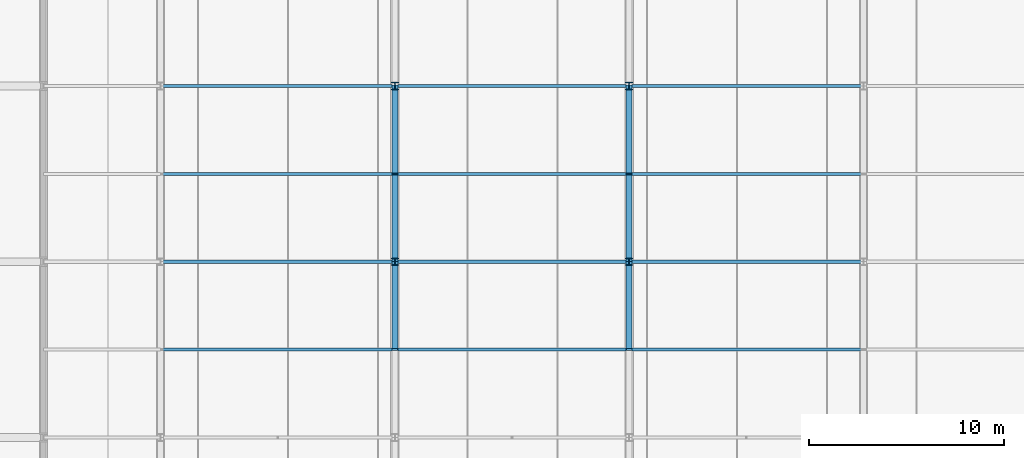
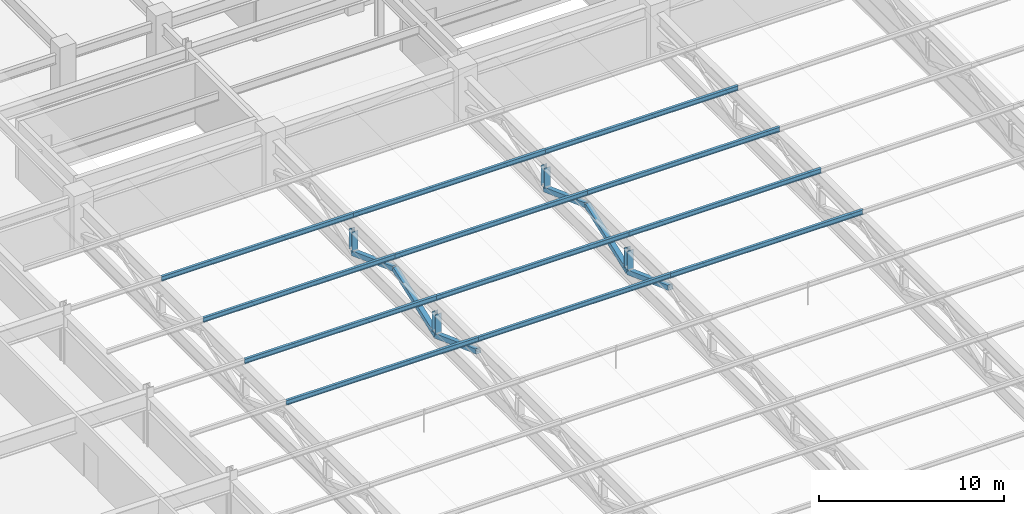
# One storey, part 30 of 108: 22 members.
"""IFC4 building model written with IfcOpenShell, lengths in metres."""

from ifc_helpers import new_model, si_unit, direction, frame, origin, origin_2d, place, context, subcontext, project, spatial, hollow_rectangle, i_section, extrude, material, material_profile, profile_set, type_object, element, save


model = new_model("IFC4")

# Units and contexts
model_context = context("Model", 3, precision=1e-05, world=origin(), true_north=direction((0.0, 1.0)))
body_context = subcontext(model_context, "Body", "Model", "MODEL_VIEW")
ifc_project = project(units=[si_unit("LENGTHUNIT", "METRE"), si_unit("AREAUNIT", "SQUARE_METRE"), si_unit("VOLUMEUNIT", "CUBIC_METRE"), si_unit("PLANEANGLEUNIT", "RADIAN"), si_unit("MASSUNIT", "GRAM", prefix="KILO")], contexts=[model_context])

# Site, building, storey
site_placement = place(None, origin())
site = spatial("IfcSite", under=ifc_project, at=site_placement, CompositionType="ELEMENT")
building_placement = place(site_placement, origin())
building = spatial("IfcBuilding", under=site, at=building_placement, Name="Kaldorvane Square Convention Centre", CompositionType="ELEMENT")
storey_placement = place(building_placement, frame((0.0, 0.0, 23.399993896484375)))
storey = spatial("IfcBuildingStorey", under=building, at=storey_placement, Name="L04", CompositionType="ELEMENT", Elevation=23.399993896484375)

# Members
ifc_material_1 = material(Name="Steel ASTM A500 Gr. C", Category="steel")
ifc_material_profile_1 = material_profile(ifc_material_1, hollow_rectangle(XDim=0.3047943115234375, YDim=0.3047943115234375, WallThickness=0.0117950439453125, at=origin_2d()), Name="HSS12X12X1/2")
ifc_profile_set_1 = profile_set([ifc_material_profile_1], Name="Steel ASTM A500 Gr. C")
member_type_1 = type_object("IfcMemberType", Name="MB-BR-HSS12", PredefinedType="BRACE", material=ifc_profile_set_1)
for number, where, z_axis, x_axis, name in (
    (1, (42.0, 49.5, 2.5535125732421875), (0.0, 0.937283847769, -0.348567050524), (-1.0, 0.0, 0.0), "Hall Roof Truss RT-02 Web 4B"),
    (2, (42.0, 54.0, 0.8800048828125), (0.0, 0.937283847769, 0.348567050524), (-1.0, 0.0, 0.0), "Hall Roof Truss RT-02 Web 5A"),
    (3, (42.0, 58.5, 2.5535125732421875), (0.0, 0.937283847769, -0.348567050524), (-1.0, 0.0, 0.0), "Hall Roof Truss RT-02 Web 5B"),
    (4, (54.0, 49.5, 2.5535125732421875), (0.0, 0.937283847769, -0.348567050524), (-1.0, 0.0, 0.0), "Hall Roof Truss RT-03 Web 4B"),
    (5, (54.0, 54.0, 0.8800048828125), (0.0, 0.937283847769, 0.348567050524), (-1.0, 0.0, 0.0), "Hall Roof Truss RT-03 Web 5A"),
    (6, (54.0, 58.5, 2.5535125732421875), (0.0, 0.937283847769, -0.348567050524), (-1.0, 0.0, 0.0), "Hall Roof Truss RT-03 Web 5B"),
):
    element("IfcMember", number, at=place(storey_placement, frame(where, z_axis=z_axis, x_axis=x_axis)), inside=storey, type_object=member_type_1, Name=name, PredefinedType="BRACE", context=body_context, shape_type="SweptSolid", body=[
        extrude(hollow_rectangle(XDim=0.3047943115234375, YDim=0.3047943115234375, WallThickness=0.0117950439453125, at=origin_2d()), origin(), (0.0, 0.0, 1.0), 4.8011016845703125),
    ])
ifc_material_2 = material(Name="Steel ASTM A992 Gr. 50", Category="steel")
ifc_material_profile_2 = material_profile(ifc_material_2, i_section(OverallWidth=0.164794921875, OverallDepth=0.310394287109375, WebThickness=0.00579833984375, FlangeThickness=0.00970458984375, FilletRadius=0.007598876953125, at=origin_2d()), Name="W12X26")
ifc_profile_set_2 = profile_set([ifc_material_profile_2], Name="Steel ASTM A992 Gr. 50")
member_type_2 = type_object("IfcMemberType", Name="MB-PR-W12X26", PredefinedType="PURLIN", material=ifc_profile_set_2)
for number, where, z_axis, x_axis, name in (
    (7, (30.0, 49.5, 3.3628082275390625), (1.0, 0.0, 0.0), (0.0, 1.0, 0.0), "Hall Roof Steel Purlin"),
    (8, (30.0, 54.0, 3.3628082275390625), (1.0, 0.0, 0.0), (0.0, 1.0, 0.0), "Hall Roof Steel Purlin"),
    (9, (30.0, 58.5, 3.3628082275390625), (1.0, 0.0, 0.0), (0.0, 1.0, 0.0), "Hall Roof Steel Purlin"),
    (10, (30.0, 63.0, 3.3628082275390625), (1.0, 0.0, 0.0), (0.0, 1.0, 0.0), "Hall Roof Steel Purlin"),
    (11, (42.0, 49.5, 3.3628082275390625), (1.0, 0.0, 0.0), (0.0, 1.0, 0.0), "Hall Roof Steel Purlin"),
    (12, (42.0, 54.0, 3.3628082275390625), (1.0, 0.0, 0.0), (0.0, 1.0, 0.0), "Hall Roof Steel Purlin"),
    (13, (42.0, 58.5, 3.3628082275390625), (1.0, 0.0, 0.0), (0.0, 1.0, 0.0), "Hall Roof Steel Purlin"),
    (14, (42.0, 63.0, 3.3628082275390625), (1.0, 0.0, 0.0), (0.0, 1.0, 0.0), "Hall Roof Steel Purlin"),
    (15, (54.0, 49.5, 3.3628082275390625), (1.0, 0.0, 0.0), (0.0, 1.0, 0.0), "Hall Roof Steel Purlin"),
    (16, (54.0, 54.0, 3.3628082275390625), (1.0, 0.0, 0.0), (0.0, 1.0, 0.0), "Hall Roof Steel Purlin"),
    (17, (54.0, 58.5, 3.3628082275390625), (1.0, 0.0, 0.0), (0.0, 1.0, 0.0), "Hall Roof Steel Purlin"),
    (18, (54.0, 63.0, 3.3628082275390625), (1.0, 0.0, 0.0), (0.0, 1.0, 0.0), "Hall Roof Steel Purlin"),
):
    element("IfcMember", number, at=place(storey_placement, frame(where, z_axis=z_axis, x_axis=x_axis)), inside=storey, type_object=member_type_2, Name=name, PredefinedType="PURLIN", context=body_context, shape_type="SweptSolid", body=[
        extrude(i_section(OverallWidth=0.164794921875, OverallDepth=0.310394287109375, WebThickness=0.00579833984375, FlangeThickness=0.00970458984375, FilletRadius=0.007598876953125, at=origin_2d()), origin(), (0.0, 0.0, 1.0), 12.0),
    ])
ifc_material_profile_3 = material_profile(ifc_material_2, i_section(OverallWidth=0.373992919921875, OverallDepth=0.372406005859375, WebThickness=0.0164031982421875, FlangeThickness=0.0261993408203125, FilletRadius=0.0305023193359375, at=origin_2d()), Name="W14X132")
ifc_profile_set_3 = profile_set([ifc_material_profile_3], Name="Steel ASTM A992 Gr. 50")
member_type_3 = type_object("IfcMemberType", Name="MB-PS-W14X132", PredefinedType="POST", material=ifc_profile_set_3)
for number, where, z_axis, x_axis, name in (
    (19, (42.0, 54.0, 1.0500030517578125), (0.0, 0.0, 1.0), (1.0, 0.0, 0.0), "Hall Roof Truss RT-02 Post 4"),
    (20, (42.0, 63.0, 1.0500030517578125), (0.0, 0.0, 1.0), (1.0, 0.0, 0.0), "Hall Roof Truss RT-02 Post 5"),
    (21, (54.0, 54.0, 1.0500030517578125), (0.0, 0.0, 1.0), (1.0, 0.0, 0.0), "Hall Roof Truss RT-03 Post 4"),
    (22, (54.0, 63.0, 1.0500030517578125), (0.0, 0.0, 1.0), (1.0, 0.0, 0.0), "Hall Roof Truss RT-03 Post 5"),
):
    element("IfcMember", number, at=place(storey_placement, frame(where, z_axis=z_axis, x_axis=x_axis)), inside=storey, type_object=member_type_3, Name=name, PredefinedType="POST", context=body_context, shape_type="SweptSolid", body=[
        extrude(i_section(OverallWidth=0.373992919921875, OverallDepth=0.372406005859375, WebThickness=0.0164031982421875, FlangeThickness=0.0261993408203125, FilletRadius=0.0305023193359375, at=origin_2d()), origin(), (0.0, 0.0, 1.0), 1.33349609375),
    ])

save(model, "model.ifc")
